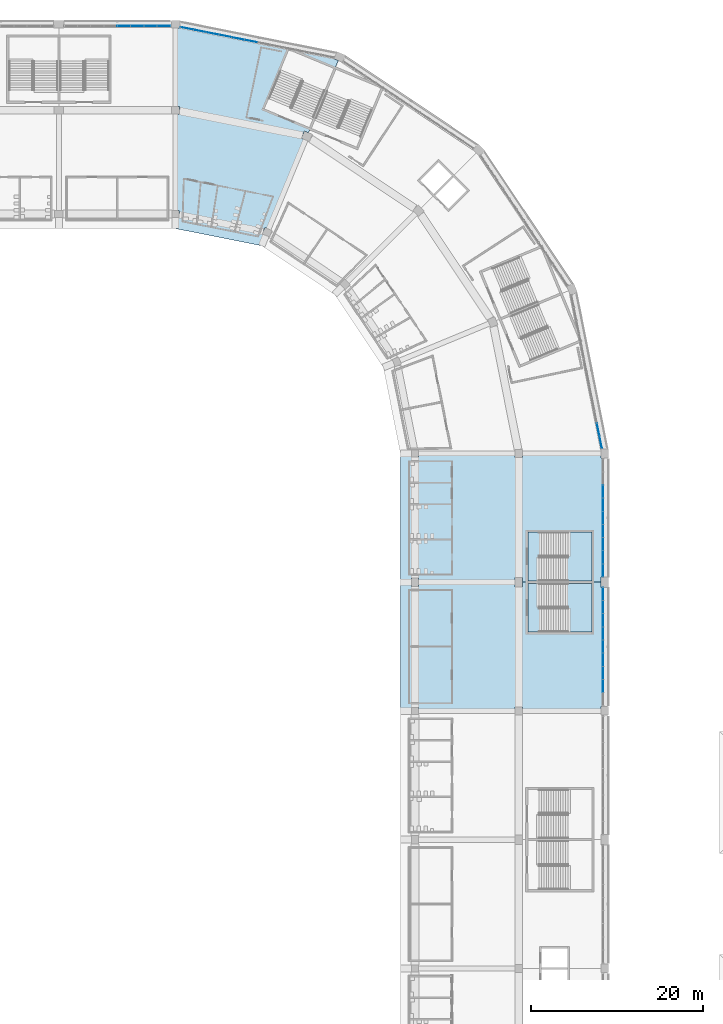
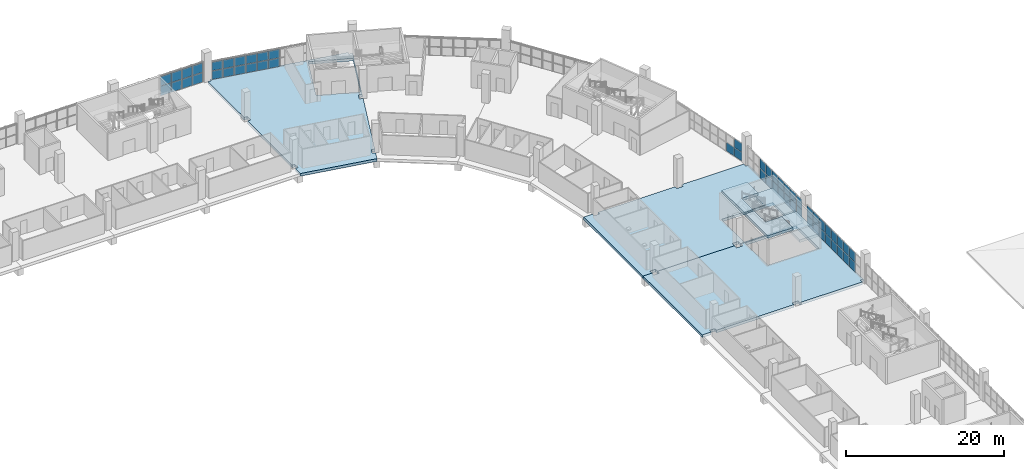
# One storey, part 71 of 199: 53 plates, 7 slabs, 7 elements without a shape of their own.
"""IFC4 building model written with IfcOpenShell, lengths in metres."""

from ifc_helpers import new_model, si_unit, direction, frame, origin, origin_2d, place, context, subcontext, project, spatial, polyline, rectangle, outline, extrude, material, layer, layer_set, type_object, element, aggregate, save


model = new_model("IFC4")

# Units and contexts
model_context = context("Model", 3, precision=1e-05, world=origin(), true_north=direction((0.0, 1.0)))
body_context = subcontext(model_context, "Body", "Model", "MODEL_VIEW")
ifc_project = project(units=[si_unit("LENGTHUNIT", "METRE"), si_unit("AREAUNIT", "SQUARE_METRE"), si_unit("VOLUMEUNIT", "CUBIC_METRE"), si_unit("PLANEANGLEUNIT", "RADIAN"), si_unit("MASSUNIT", "GRAM", prefix="KILO")], contexts=[model_context])

# Site, building, storey
site_placement = place(None, origin())
site = spatial("IfcSite", under=ifc_project, at=site_placement, CompositionType="ELEMENT")
building_placement = place(site_placement, origin())
building = spatial("IfcBuilding", under=site, at=building_placement, Name="Ogive Plaza Stadium", CompositionType="ELEMENT")
storey_placement = place(building_placement, frame((0.0, 0.0, 4.5)))
storey = spatial("IfcBuildingStorey", under=building, at=storey_placement, Name="L01", CompositionType="ELEMENT", Elevation=4.5)

# Curtain wall, plates
ifc_material_1 = material(Name="Bronze-anodised aluminium with laminated glass", Category="aluminium")
curtain_wall_type = type_object("IfcCurtainWallType", Name="Lancet curtain wall", PredefinedType="NOTDEFINED", material=ifc_material_1)
curtain_wall_1_placement = place(storey_placement, origin())
curtain_wall_1 = element("IfcCurtainWall", 1, at=curtain_wall_1_placement, inside=storey, type_object=curtain_wall_type, Name="CURTAIN WALL B01 L01", PredefinedType="NOTDEFINED")
ifc_material_2 = material(Name="Laminated glass", Category="glass")
ifc_layer_1 = layer(ifc_material_2, 0.028076171875)
ifc_layer_set_1 = layer_set([ifc_layer_1], Name="Laminated glass panel 28")
plate_type = type_object("IfcPlateType", Name="Laminated glass panel 28", PredefinedType="CURTAIN_PANEL", material=ifc_layer_set_1)
plate_1_placement = place(storey_placement, frame((83.800048828125, 48.066650390625, 0.0498046875), z_axis=(0.0, 0.0, 1.0), x_axis=(0.0, -1.0, 0.0)))
plate_1 = element("IfcPlate", 2, at=plate_1_placement, type_object=plate_type, Name="CW-B01-L01 panel 3.1", PredefinedType="CURTAIN_PANEL", context=body_context, shape_type="SweptSolid", body=[
    extrude(rectangle(XDim=1.4833984375, YDim=0.028076171875, at=origin_2d()), origin(), (0.0, 0.0, 1.0), 1.469970703125),
])
plate_2_placement = place(storey_placement, frame((83.800048828125, 48.066650390625, 1.56982421875), z_axis=(0.0, 0.0, 1.0), x_axis=(0.0, -1.0, 0.0)))
plate_2 = element("IfcPlate", 3, at=plate_2_placement, type_object=plate_type, Name="CW-B01-L01 panel 3.2", PredefinedType="CURTAIN_PANEL", context=body_context, shape_type="SweptSolid", body=[
    extrude(rectangle(XDim=1.4833984375, YDim=0.028076171875, at=origin_2d()), origin(), (0.0, 0.0, 1.0), 1.469970703125),
])
plate_3_placement = place(storey_placement, frame((83.800048828125, 46.533447265625, 0.0498046875), z_axis=(0.0, 0.0, 1.0), x_axis=(0.0, -1.0, 0.0)))
plate_3 = element("IfcPlate", 4, at=plate_3_placement, type_object=plate_type, Name="CW-B01-L01 panel 4.1", PredefinedType="CURTAIN_PANEL", context=body_context, shape_type="SweptSolid", body=[
    extrude(rectangle(XDim=1.4833984375, YDim=0.028076171875, at=origin_2d()), origin(), (0.0, 0.0, 1.0), 1.469970703125),
])
plate_4_placement = place(storey_placement, frame((83.800048828125, 46.533447265625, 1.56982421875), z_axis=(0.0, 0.0, 1.0), x_axis=(0.0, -1.0, 0.0)))
plate_4 = element("IfcPlate", 5, at=plate_4_placement, type_object=plate_type, Name="CW-B01-L01 panel 4.2", PredefinedType="CURTAIN_PANEL", context=body_context, shape_type="SweptSolid", body=[
    extrude(rectangle(XDim=1.4833984375, YDim=0.028076171875, at=origin_2d()), origin(), (0.0, 0.0, 1.0), 1.469970703125),
])
plate_5_placement = place(storey_placement, frame((83.800048828125, 45.0, 0.0498046875), z_axis=(0.0, 0.0, 1.0), x_axis=(0.0, -1.0, 0.0)))
plate_5 = element("IfcPlate", 6, at=plate_5_placement, type_object=plate_type, Name="CW-B01-L01 panel 5.1", PredefinedType="CURTAIN_PANEL", context=body_context, shape_type="SweptSolid", body=[
    extrude(rectangle(XDim=1.4833984375, YDim=0.028076171875, at=origin_2d()), origin(), (0.0, 0.0, 1.0), 1.469970703125),
])
plate_6_placement = place(storey_placement, frame((83.800048828125, 45.0, 1.56982421875), z_axis=(0.0, 0.0, 1.0), x_axis=(0.0, -1.0, 0.0)))
plate_6 = element("IfcPlate", 7, at=plate_6_placement, type_object=plate_type, Name="CW-B01-L01 panel 5.2", PredefinedType="CURTAIN_PANEL", context=body_context, shape_type="SweptSolid", body=[
    extrude(rectangle(XDim=1.4833984375, YDim=0.028076171875, at=origin_2d()), origin(), (0.0, 0.0, 1.0), 1.469970703125),
])
plate_7_placement = place(storey_placement, frame((83.800048828125, 43.466552734375, 0.0498046875), z_axis=(0.0, 0.0, 1.0), x_axis=(0.0, -1.0, 0.0)))
plate_7 = element("IfcPlate", 8, at=plate_7_placement, type_object=plate_type, Name="CW-B01-L01 panel 6.1", PredefinedType="CURTAIN_PANEL", context=body_context, shape_type="SweptSolid", body=[
    extrude(rectangle(XDim=1.4833984375, YDim=0.028076171875, at=origin_2d()), origin(), (0.0, 0.0, 1.0), 1.469970703125),
])
plate_8_placement = place(storey_placement, frame((83.800048828125, 43.466552734375, 1.56982421875), z_axis=(0.0, 0.0, 1.0), x_axis=(0.0, -1.0, 0.0)))
plate_8 = element("IfcPlate", 9, at=plate_8_placement, type_object=plate_type, Name="CW-B01-L01 panel 6.2", PredefinedType="CURTAIN_PANEL", context=body_context, shape_type="SweptSolid", body=[
    extrude(rectangle(XDim=1.4833984375, YDim=0.028076171875, at=origin_2d()), origin(), (0.0, 0.0, 1.0), 1.469970703125),
])
plate_9_placement = place(storey_placement, frame((83.800048828125, 41.933349609375, 0.0498046875), z_axis=(0.0, 0.0, 1.0), x_axis=(0.0, -1.0, 0.0)))
plate_9 = element("IfcPlate", 10, at=plate_9_placement, type_object=plate_type, Name="CW-B01-L01 panel 7.1", PredefinedType="CURTAIN_PANEL", context=body_context, shape_type="SweptSolid", body=[
    extrude(rectangle(XDim=1.4833984375, YDim=0.028076171875, at=origin_2d()), origin(), (0.0, 0.0, 1.0), 1.469970703125),
])
plate_10_placement = place(storey_placement, frame((83.800048828125, 41.933349609375, 1.56982421875), z_axis=(0.0, 0.0, 1.0), x_axis=(0.0, -1.0, 0.0)))
plate_10 = element("IfcPlate", 11, at=plate_10_placement, type_object=plate_type, Name="CW-B01-L01 panel 7.2", PredefinedType="CURTAIN_PANEL", context=body_context, shape_type="SweptSolid", body=[
    extrude(rectangle(XDim=1.4833984375, YDim=0.028076171875, at=origin_2d()), origin(), (0.0, 0.0, 1.0), 1.469970703125),
])
plate_11_placement = place(storey_placement, frame((83.800048828125, 40.39990234375, 0.0498046875), z_axis=(0.0, 0.0, 1.0), x_axis=(0.0, -1.0, 0.0)))
plate_11 = element("IfcPlate", 12, at=plate_11_placement, type_object=plate_type, Name="CW-B01-L01 panel 8.1", PredefinedType="CURTAIN_PANEL", context=body_context, shape_type="SweptSolid", body=[
    extrude(rectangle(XDim=1.4833984375, YDim=0.028076171875, at=origin_2d()), origin(), (0.0, 0.0, 1.0), 1.469970703125),
])
plate_12_placement = place(storey_placement, frame((83.800048828125, 40.39990234375, 1.56982421875), z_axis=(0.0, 0.0, 1.0), x_axis=(0.0, -1.0, 0.0)))
plate_12 = element("IfcPlate", 13, at=plate_12_placement, type_object=plate_type, Name="CW-B01-L01 panel 8.2", PredefinedType="CURTAIN_PANEL", context=body_context, shape_type="SweptSolid", body=[
    extrude(rectangle(XDim=1.4833984375, YDim=0.028076171875, at=origin_2d()), origin(), (0.0, 0.0, 1.0), 1.469970703125),
])
plate_13_placement = place(storey_placement, frame((83.800048828125, 38.879150390625, 0.0498046875), z_axis=(0.0, 0.0, 1.0), x_axis=(0.0, -1.0, 0.0)))
plate_13 = element("IfcPlate", 14, at=plate_13_placement, type_object=plate_type, Name="CW-B01-L01 panel 9.1", PredefinedType="CURTAIN_PANEL", context=body_context, shape_type="SweptSolid", body=[
    extrude(rectangle(XDim=1.458251953125, YDim=0.028076171875, at=origin_2d()), origin(), (0.0, 0.0, 1.0), 1.469970703125),
])
plate_14_placement = place(storey_placement, frame((83.800048828125, 38.879150390625, 1.56982421875), z_axis=(0.0, 0.0, 1.0), x_axis=(0.0, -1.0, 0.0)))
plate_14 = element("IfcPlate", 15, at=plate_14_placement, type_object=plate_type, Name="CW-B01-L01 panel 9.2", PredefinedType="CURTAIN_PANEL", context=body_context, shape_type="SweptSolid", body=[
    extrude(rectangle(XDim=1.458251953125, YDim=0.028076171875, at=origin_2d()), origin(), (0.0, 0.0, 1.0), 1.469970703125),
])
aggregate(curtain_wall_1, [plate_1, plate_2, plate_3, plate_4, plate_5, plate_6, plate_7, plate_8, plate_9, plate_10, plate_11, plate_12, plate_13, plate_14])

curtain_wall_2_placement = place(storey_placement, origin())
curtain_wall_2 = element("IfcCurtainWall", 16, at=curtain_wall_2_placement, inside=storey, type_object=curtain_wall_type, Name="CURTAIN WALL B02 L01", PredefinedType="NOTDEFINED")
plate_15_placement = place(storey_placement, frame((83.800048828125, 36.120849609375, 0.0498046875), z_axis=(0.0, 0.0, 1.0), x_axis=(0.0, -1.0, 0.0)))
plate_15 = element("IfcPlate", 17, at=plate_15_placement, type_object=plate_type, Name="CW-B02-L01 panel 1.1", PredefinedType="CURTAIN_PANEL", context=body_context, shape_type="SweptSolid", body=[
    extrude(rectangle(XDim=1.458251953125, YDim=0.028076171875, at=origin_2d()), origin(), (0.0, 0.0, 1.0), 1.469970703125),
])
plate_16_placement = place(storey_placement, frame((83.800048828125, 36.120849609375, 1.56982421875), z_axis=(0.0, 0.0, 1.0), x_axis=(0.0, -1.0, 0.0)))
plate_16 = element("IfcPlate", 18, at=plate_16_placement, type_object=plate_type, Name="CW-B02-L01 panel 1.2", PredefinedType="CURTAIN_PANEL", context=body_context, shape_type="SweptSolid", body=[
    extrude(rectangle(XDim=1.458251953125, YDim=0.028076171875, at=origin_2d()), origin(), (0.0, 0.0, 1.0), 1.469970703125),
])
plate_17_placement = place(storey_placement, frame((83.800048828125, 34.60009765625, 0.0498046875), z_axis=(0.0, 0.0, 1.0), x_axis=(0.0, -1.0, 0.0)))
plate_17 = element("IfcPlate", 19, at=plate_17_placement, type_object=plate_type, Name="CW-B02-L01 panel 2.1", PredefinedType="CURTAIN_PANEL", context=body_context, shape_type="SweptSolid", body=[
    extrude(rectangle(XDim=1.4833984375, YDim=0.028076171875, at=origin_2d()), origin(), (0.0, 0.0, 1.0), 1.469970703125),
])
plate_18_placement = place(storey_placement, frame((83.800048828125, 34.60009765625, 1.56982421875), z_axis=(0.0, 0.0, 1.0), x_axis=(0.0, -1.0, 0.0)))
plate_18 = element("IfcPlate", 20, at=plate_18_placement, type_object=plate_type, Name="CW-B02-L01 panel 2.2", PredefinedType="CURTAIN_PANEL", context=body_context, shape_type="SweptSolid", body=[
    extrude(rectangle(XDim=1.4833984375, YDim=0.028076171875, at=origin_2d()), origin(), (0.0, 0.0, 1.0), 1.469970703125),
])
plate_19_placement = place(storey_placement, frame((83.800048828125, 33.066650390625, 0.0498046875), z_axis=(0.0, 0.0, 1.0), x_axis=(0.0, -1.0, 0.0)))
plate_19 = element("IfcPlate", 21, at=plate_19_placement, type_object=plate_type, Name="CW-B02-L01 panel 3.1", PredefinedType="CURTAIN_PANEL", context=body_context, shape_type="SweptSolid", body=[
    extrude(rectangle(XDim=1.4833984375, YDim=0.028076171875, at=origin_2d()), origin(), (0.0, 0.0, 1.0), 1.469970703125),
])
plate_20_placement = place(storey_placement, frame((83.800048828125, 33.066650390625, 1.56982421875), z_axis=(0.0, 0.0, 1.0), x_axis=(0.0, -1.0, 0.0)))
plate_20 = element("IfcPlate", 22, at=plate_20_placement, type_object=plate_type, Name="CW-B02-L01 panel 3.2", PredefinedType="CURTAIN_PANEL", context=body_context, shape_type="SweptSolid", body=[
    extrude(rectangle(XDim=1.4833984375, YDim=0.028076171875, at=origin_2d()), origin(), (0.0, 0.0, 1.0), 1.469970703125),
])
plate_21_placement = place(storey_placement, frame((83.800048828125, 31.533447265625, 0.0498046875), z_axis=(0.0, 0.0, 1.0), x_axis=(0.0, -1.0, 0.0)))
plate_21 = element("IfcPlate", 23, at=plate_21_placement, type_object=plate_type, Name="CW-B02-L01 panel 4.1", PredefinedType="CURTAIN_PANEL", context=body_context, shape_type="SweptSolid", body=[
    extrude(rectangle(XDim=1.4833984375, YDim=0.028076171875, at=origin_2d()), origin(), (0.0, 0.0, 1.0), 1.469970703125),
])
plate_22_placement = place(storey_placement, frame((83.800048828125, 31.533447265625, 1.56982421875), z_axis=(0.0, 0.0, 1.0), x_axis=(0.0, -1.0, 0.0)))
plate_22 = element("IfcPlate", 24, at=plate_22_placement, type_object=plate_type, Name="CW-B02-L01 panel 4.2", PredefinedType="CURTAIN_PANEL", context=body_context, shape_type="SweptSolid", body=[
    extrude(rectangle(XDim=1.4833984375, YDim=0.028076171875, at=origin_2d()), origin(), (0.0, 0.0, 1.0), 1.469970703125),
])
plate_23_placement = place(storey_placement, frame((83.800048828125, 30.0, 0.0498046875), z_axis=(0.0, 0.0, 1.0), x_axis=(0.0, -1.0, 0.0)))
plate_23 = element("IfcPlate", 25, at=plate_23_placement, type_object=plate_type, Name="CW-B02-L01 panel 5.1", PredefinedType="CURTAIN_PANEL", context=body_context, shape_type="SweptSolid", body=[
    extrude(rectangle(XDim=1.4833984375, YDim=0.028076171875, at=origin_2d()), origin(), (0.0, 0.0, 1.0), 1.469970703125),
])
plate_24_placement = place(storey_placement, frame((83.800048828125, 30.0, 1.56982421875), z_axis=(0.0, 0.0, 1.0), x_axis=(0.0, -1.0, 0.0)))
plate_24 = element("IfcPlate", 26, at=plate_24_placement, type_object=plate_type, Name="CW-B02-L01 panel 5.2", PredefinedType="CURTAIN_PANEL", context=body_context, shape_type="SweptSolid", body=[
    extrude(rectangle(XDim=1.4833984375, YDim=0.028076171875, at=origin_2d()), origin(), (0.0, 0.0, 1.0), 1.469970703125),
])
plate_25_placement = place(storey_placement, frame((83.800048828125, 28.466552734375, 0.0498046875), z_axis=(0.0, 0.0, 1.0), x_axis=(0.0, -1.0, 0.0)))
plate_25 = element("IfcPlate", 27, at=plate_25_placement, type_object=plate_type, Name="CW-B02-L01 panel 6.1", PredefinedType="CURTAIN_PANEL", context=body_context, shape_type="SweptSolid", body=[
    extrude(rectangle(XDim=1.4833984375, YDim=0.028076171875, at=origin_2d()), origin(), (0.0, 0.0, 1.0), 1.469970703125),
])
plate_26_placement = place(storey_placement, frame((83.800048828125, 28.466552734375, 1.56982421875), z_axis=(0.0, 0.0, 1.0), x_axis=(0.0, -1.0, 0.0)))
plate_26 = element("IfcPlate", 28, at=plate_26_placement, type_object=plate_type, Name="CW-B02-L01 panel 6.2", PredefinedType="CURTAIN_PANEL", context=body_context, shape_type="SweptSolid", body=[
    extrude(rectangle(XDim=1.4833984375, YDim=0.028076171875, at=origin_2d()), origin(), (0.0, 0.0, 1.0), 1.469970703125),
])
plate_27_placement = place(storey_placement, frame((83.800048828125, 26.933349609375, 0.0498046875), z_axis=(0.0, 0.0, 1.0), x_axis=(0.0, -1.0, 0.0)))
plate_27 = element("IfcPlate", 29, at=plate_27_placement, type_object=plate_type, Name="CW-B02-L01 panel 7.1", PredefinedType="CURTAIN_PANEL", context=body_context, shape_type="SweptSolid", body=[
    extrude(rectangle(XDim=1.4833984375, YDim=0.028076171875, at=origin_2d()), origin(), (0.0, 0.0, 1.0), 1.469970703125),
])
plate_28_placement = place(storey_placement, frame((83.800048828125, 26.933349609375, 1.56982421875), z_axis=(0.0, 0.0, 1.0), x_axis=(0.0, -1.0, 0.0)))
plate_28 = element("IfcPlate", 30, at=plate_28_placement, type_object=plate_type, Name="CW-B02-L01 panel 7.2", PredefinedType="CURTAIN_PANEL", context=body_context, shape_type="SweptSolid", body=[
    extrude(rectangle(XDim=1.4833984375, YDim=0.028076171875, at=origin_2d()), origin(), (0.0, 0.0, 1.0), 1.469970703125),
])
plate_29_placement = place(storey_placement, frame((83.800048828125, 25.39990234375, 0.0498046875), z_axis=(0.0, 0.0, 1.0), x_axis=(0.0, -1.0, 0.0)))
plate_29 = element("IfcPlate", 31, at=plate_29_placement, type_object=plate_type, Name="CW-B02-L01 panel 8.1", PredefinedType="CURTAIN_PANEL", context=body_context, shape_type="SweptSolid", body=[
    extrude(rectangle(XDim=1.4833984375, YDim=0.028076171875, at=origin_2d()), origin(), (0.0, 0.0, 1.0), 1.469970703125),
])
plate_30_placement = place(storey_placement, frame((83.800048828125, 25.39990234375, 1.56982421875), z_axis=(0.0, 0.0, 1.0), x_axis=(0.0, -1.0, 0.0)))
plate_30 = element("IfcPlate", 32, at=plate_30_placement, type_object=plate_type, Name="CW-B02-L01 panel 8.2", PredefinedType="CURTAIN_PANEL", context=body_context, shape_type="SweptSolid", body=[
    extrude(rectangle(XDim=1.4833984375, YDim=0.028076171875, at=origin_2d()), origin(), (0.0, 0.0, 1.0), 1.469970703125),
])
aggregate(curtain_wall_2, [plate_15, plate_16, plate_17, plate_18, plate_19, plate_20, plate_21, plate_22, plate_23, plate_24, plate_25, plate_26, plate_27, plate_28, plate_29, plate_30])

curtain_wall_3_placement = place(storey_placement, origin())
curtain_wall_3 = element("IfcCurtainWall", 33, at=curtain_wall_3_placement, inside=storey, type_object=curtain_wall_type, Name="CURTAIN WALL B36 L01", PredefinedType="NOTDEFINED")
plate_31_placement = place(storey_placement, frame((27.97509765625, 102.300048828125, 0.0498046875), z_axis=(0.0, 0.0, 1.0), x_axis=(1.0, 0.0, 0.0)))
plate_31 = element("IfcPlate", 34, at=plate_31_placement, type_object=plate_type, Name="CW-B36-L01 panel 5.1", PredefinedType="CURTAIN_PANEL", context=body_context, shape_type="SweptSolid", body=[
    extrude(rectangle(XDim=1.5, YDim=0.028076171875, at=origin_2d()), origin(), (0.0, 0.0, 1.0), 1.469970703125),
])
plate_32_placement = place(storey_placement, frame((27.97509765625, 102.300048828125, 1.56982421875), z_axis=(0.0, 0.0, 1.0), x_axis=(1.0, 0.0, 0.0)))
plate_32 = element("IfcPlate", 35, at=plate_32_placement, type_object=plate_type, Name="CW-B36-L01 panel 5.2", PredefinedType="CURTAIN_PANEL", context=body_context, shape_type="SweptSolid", body=[
    extrude(rectangle(XDim=1.5, YDim=0.028076171875, at=origin_2d()), origin(), (0.0, 0.0, 1.0), 1.469970703125),
])
plate_33_placement = place(storey_placement, frame((29.52490234375, 102.300048828125, 0.0498046875), z_axis=(0.0, 0.0, 1.0), x_axis=(1.0, 0.0, 0.0)))
plate_33 = element("IfcPlate", 36, at=plate_33_placement, type_object=plate_type, Name="CW-B36-L01 panel 6.1", PredefinedType="CURTAIN_PANEL", context=body_context, shape_type="SweptSolid", body=[
    extrude(rectangle(XDim=1.5, YDim=0.028076171875, at=origin_2d()), origin(), (0.0, 0.0, 1.0), 1.469970703125),
])
plate_34_placement = place(storey_placement, frame((29.52490234375, 102.300048828125, 1.56982421875), z_axis=(0.0, 0.0, 1.0), x_axis=(1.0, 0.0, 0.0)))
plate_34 = element("IfcPlate", 37, at=plate_34_placement, type_object=plate_type, Name="CW-B36-L01 panel 6.2", PredefinedType="CURTAIN_PANEL", context=body_context, shape_type="SweptSolid", body=[
    extrude(rectangle(XDim=1.5, YDim=0.028076171875, at=origin_2d()), origin(), (0.0, 0.0, 1.0), 1.469970703125),
])
plate_35_placement = place(storey_placement, frame((31.074951171875, 102.300048828125, 0.0498046875), z_axis=(0.0, 0.0, 1.0), x_axis=(1.0, 0.0, 0.0)))
plate_35 = element("IfcPlate", 38, at=plate_35_placement, type_object=plate_type, Name="CW-B36-L01 panel 7.1", PredefinedType="CURTAIN_PANEL", context=body_context, shape_type="SweptSolid", body=[
    extrude(rectangle(XDim=1.5, YDim=0.028076171875, at=origin_2d()), origin(), (0.0, 0.0, 1.0), 1.469970703125),
])
plate_36_placement = place(storey_placement, frame((31.074951171875, 102.300048828125, 1.56982421875), z_axis=(0.0, 0.0, 1.0), x_axis=(1.0, 0.0, 0.0)))
plate_36 = element("IfcPlate", 39, at=plate_36_placement, type_object=plate_type, Name="CW-B36-L01 panel 7.2", PredefinedType="CURTAIN_PANEL", context=body_context, shape_type="SweptSolid", body=[
    extrude(rectangle(XDim=1.5, YDim=0.028076171875, at=origin_2d()), origin(), (0.0, 0.0, 1.0), 1.469970703125),
])
plate_37_placement = place(storey_placement, frame((32.612548828125, 102.300048828125, 0.0498046875), z_axis=(0.0, 0.0, 1.0), x_axis=(1.0, 0.0, 0.0)))
plate_37 = element("IfcPlate", 40, at=plate_37_placement, type_object=plate_type, Name="CW-B36-L01 panel 8.1", PredefinedType="CURTAIN_PANEL", context=body_context, shape_type="SweptSolid", body=[
    extrude(rectangle(XDim=1.47509765625, YDim=0.028076171875, at=origin_2d()), origin(), (0.0, 0.0, 1.0), 1.469970703125),
])
plate_38_placement = place(storey_placement, frame((32.612548828125, 102.300048828125, 1.56982421875), z_axis=(0.0, 0.0, 1.0), x_axis=(1.0, 0.0, 0.0)))
plate_38 = element("IfcPlate", 41, at=plate_38_placement, type_object=plate_type, Name="CW-B36-L01 panel 8.2", PredefinedType="CURTAIN_PANEL", context=body_context, shape_type="SweptSolid", body=[
    extrude(rectangle(XDim=1.47509765625, YDim=0.028076171875, at=origin_2d()), origin(), (0.0, 0.0, 1.0), 1.469970703125),
])
aggregate(curtain_wall_3, [plate_31, plate_32, plate_33, plate_34, plate_35, plate_36, plate_37, plate_38])

curtain_wall_4_placement = place(storey_placement, origin())
curtain_wall_4 = element("IfcCurtainWall", 42, at=curtain_wall_4_placement, inside=storey, type_object=curtain_wall_type, Name="CURTAIN WALL B37 L01", PredefinedType="NOTDEFINED")
plate_39_placement = place(storey_placement, frame((35.328369140625, 102.031982421875, 0.0498046875), z_axis=(0.0, 0.0, 1.0), x_axis=(0.9807852804, -0.195090322033, 0.0)))
plate_39 = element("IfcPlate", 43, at=plate_39_placement, type_object=plate_type, Name="CW-B37-L01 panel 1.1", PredefinedType="CURTAIN_PANEL", context=body_context, shape_type="SweptSolid", body=[
    extrude(rectangle(XDim=1.447265625, YDim=0.028076171875, at=origin_2d()), origin(), (0.0, 0.0, 1.0), 1.320068359375),
])
plate_40_placement = place(storey_placement, frame((35.328369140625, 102.031982421875, 1.419921875), z_axis=(0.0, 0.0, 1.0), x_axis=(0.9807852804, -0.195090322033, 0.0)))
plate_40 = element("IfcPlate", 44, at=plate_40_placement, type_object=plate_type, Name="CW-B37-L01 panel 1.2", PredefinedType="CURTAIN_PANEL", context=body_context, shape_type="SweptSolid", body=[
    extrude(rectangle(XDim=1.447265625, YDim=0.028076171875, at=origin_2d()), origin(), (0.0, 0.0, 1.0), 1.320068359375),
])
plate_41_placement = place(storey_placement, frame((36.80908203125, 101.7373046875, 0.0498046875), z_axis=(0.0, 0.0, 1.0), x_axis=(0.9807852804, -0.195090322033, 0.0)))
plate_41 = element("IfcPlate", 45, at=plate_41_placement, type_object=plate_type, Name="CW-B37-L01 panel 2.1", PredefinedType="CURTAIN_PANEL", context=body_context, shape_type="SweptSolid", body=[
    extrude(rectangle(XDim=1.472412109375, YDim=0.028076171875, at=origin_2d()), origin(), (0.0, 0.0, 1.0), 1.320068359375),
])
plate_42_placement = place(storey_placement, frame((36.80908203125, 101.7373046875, 1.419921875), z_axis=(0.0, 0.0, 1.0), x_axis=(0.9807852804, -0.195090322033, 0.0)))
plate_42 = element("IfcPlate", 46, at=plate_42_placement, type_object=plate_type, Name="CW-B37-L01 panel 2.2", PredefinedType="CURTAIN_PANEL", context=body_context, shape_type="SweptSolid", body=[
    extrude(rectangle(XDim=1.472412109375, YDim=0.028076171875, at=origin_2d()), origin(), (0.0, 0.0, 1.0), 1.320068359375),
])
plate_43_placement = place(storey_placement, frame((38.30224609375, 101.4404296875, 0.0498046875), z_axis=(0.0, 0.0, 1.0), x_axis=(0.9807852804, -0.195090322033, 0.0)))
plate_43 = element("IfcPlate", 47, at=plate_43_placement, type_object=plate_type, Name="CW-B37-L01 panel 3.1", PredefinedType="CURTAIN_PANEL", context=body_context, shape_type="SweptSolid", body=[
    extrude(rectangle(XDim=1.472412109375, YDim=0.028076171875, at=origin_2d()), origin(), (0.0, 0.0, 1.0), 1.320068359375),
])
plate_44_placement = place(storey_placement, frame((38.30224609375, 101.4404296875, 1.419921875), z_axis=(0.0, 0.0, 1.0), x_axis=(0.9807852804, -0.195090322033, 0.0)))
plate_44 = element("IfcPlate", 48, at=plate_44_placement, type_object=plate_type, Name="CW-B37-L01 panel 3.2", PredefinedType="CURTAIN_PANEL", context=body_context, shape_type="SweptSolid", body=[
    extrude(rectangle(XDim=1.472412109375, YDim=0.028076171875, at=origin_2d()), origin(), (0.0, 0.0, 1.0), 1.320068359375),
])
plate_45_placement = place(storey_placement, frame((39.79541015625, 101.143310546875, 0.0498046875), z_axis=(0.0, 0.0, 1.0), x_axis=(0.9807852804, -0.195090322033, 0.0)))
plate_45 = element("IfcPlate", 49, at=plate_45_placement, type_object=plate_type, Name="CW-B37-L01 panel 4.1", PredefinedType="CURTAIN_PANEL", context=body_context, shape_type="SweptSolid", body=[
    extrude(rectangle(XDim=1.472412109375, YDim=0.028076171875, at=origin_2d()), origin(), (0.0, 0.0, 1.0), 1.320068359375),
])
plate_46_placement = place(storey_placement, frame((39.79541015625, 101.143310546875, 1.419921875), z_axis=(0.0, 0.0, 1.0), x_axis=(0.9807852804, -0.195090322033, 0.0)))
plate_46 = element("IfcPlate", 50, at=plate_46_placement, type_object=plate_type, Name="CW-B37-L01 panel 4.2", PredefinedType="CURTAIN_PANEL", context=body_context, shape_type="SweptSolid", body=[
    extrude(rectangle(XDim=1.472412109375, YDim=0.028076171875, at=origin_2d()), origin(), (0.0, 0.0, 1.0), 1.320068359375),
])
plate_47_placement = place(storey_placement, frame((41.288330078125, 100.846435546875, 0.0498046875), z_axis=(0.0, 0.0, 1.0), x_axis=(0.9807852804, -0.195090322033, 0.0)))
plate_47 = element("IfcPlate", 51, at=plate_47_placement, type_object=plate_type, Name="CW-B37-L01 panel 5.1", PredefinedType="CURTAIN_PANEL", context=body_context, shape_type="SweptSolid", body=[
    extrude(rectangle(XDim=1.472412109375, YDim=0.028076171875, at=origin_2d()), origin(), (0.0, 0.0, 1.0), 1.320068359375),
])
plate_48_placement = place(storey_placement, frame((41.288330078125, 100.846435546875, 1.419921875), z_axis=(0.0, 0.0, 1.0), x_axis=(0.9807852804, -0.195090322033, 0.0)))
plate_48 = element("IfcPlate", 52, at=plate_48_placement, type_object=plate_type, Name="CW-B37-L01 panel 5.2", PredefinedType="CURTAIN_PANEL", context=body_context, shape_type="SweptSolid", body=[
    extrude(rectangle(XDim=1.472412109375, YDim=0.028076171875, at=origin_2d()), origin(), (0.0, 0.0, 1.0), 1.320068359375),
])
plate_49_placement = place(storey_placement, frame((42.781494140625, 100.54931640625, 0.0498046875), z_axis=(0.0, 0.0, 1.0), x_axis=(0.9807852804, -0.195090322033, 0.0)))
plate_49 = element("IfcPlate", 53, at=plate_49_placement, type_object=plate_type, Name="CW-B37-L01 panel 6.1", PredefinedType="CURTAIN_PANEL", context=body_context, shape_type="SweptSolid", body=[
    extrude(rectangle(XDim=1.472412109375, YDim=0.028076171875, at=origin_2d()), origin(), (0.0, 0.0, 1.0), 1.320068359375),
])
plate_50_placement = place(storey_placement, frame((42.781494140625, 100.54931640625, 1.419921875), z_axis=(0.0, 0.0, 1.0), x_axis=(0.9807852804, -0.195090322033, 0.0)))
plate_50 = element("IfcPlate", 54, at=plate_50_placement, type_object=plate_type, Name="CW-B37-L01 panel 6.2", PredefinedType="CURTAIN_PANEL", context=body_context, shape_type="SweptSolid", body=[
    extrude(rectangle(XDim=1.472412109375, YDim=0.028076171875, at=origin_2d()), origin(), (0.0, 0.0, 1.0), 1.320068359375),
])
aggregate(curtain_wall_4, [plate_39, plate_40, plate_41, plate_42, plate_43, plate_44, plate_45, plate_46, plate_47, plate_48, plate_49, plate_50])

curtain_wall_5_placement = place(storey_placement, origin())
curtain_wall_5 = element("IfcCurtainWall", 55, at=curtain_wall_5_placement, inside=storey, type_object=curtain_wall_type, Name="CURTAIN WALL B40 L01", PredefinedType="NOTDEFINED")
plate_51_placement = place(storey_placement, frame((83.2373046875, 55.30908203125, 0.0498046875), z_axis=(0.0, 0.0, 1.0), x_axis=(0.195090322033, -0.9807852804, 0.0)))
plate_51 = element("IfcPlate", 56, at=plate_51_placement, type_object=plate_type, Name="CW-B40-L01 panel 11.1", PredefinedType="CURTAIN_PANEL", context=body_context, shape_type="SweptSolid", body=[
    extrude(rectangle(XDim=1.472412109375, YDim=0.028076171875, at=origin_2d()), origin(), (0.0, 0.0, 1.0), 1.320068359375),
])
plate_52_placement = place(storey_placement, frame((83.531982421875, 53.828369140625, 0.0498046875), z_axis=(0.0, 0.0, 1.0), x_axis=(0.195090322033, -0.9807852804, 0.0)))
plate_52 = element("IfcPlate", 57, at=plate_52_placement, type_object=plate_type, Name="CW-B40-L01 panel 12.1", PredefinedType="CURTAIN_PANEL", context=body_context, shape_type="SweptSolid", body=[
    extrude(rectangle(XDim=1.447265625, YDim=0.028076171875, at=origin_2d()), origin(), (0.0, 0.0, 1.0), 1.320068359375),
])
plate_53_placement = place(storey_placement, frame((83.531982421875, 53.828369140625, 1.419921875), z_axis=(0.0, 0.0, 1.0), x_axis=(0.195090322033, -0.9807852804, 0.0)))
plate_53 = element("IfcPlate", 58, at=plate_53_placement, type_object=plate_type, Name="CW-B40-L01 panel 12.2", PredefinedType="CURTAIN_PANEL", context=body_context, shape_type="SweptSolid", body=[
    extrude(rectangle(XDim=1.447265625, YDim=0.028076171875, at=origin_2d()), origin(), (0.0, 0.0, 1.0), 1.320068359375),
])
aggregate(curtain_wall_5, [plate_51, plate_52, plate_53])

# Slabs
ifc_material_3 = material(Name="Concrete C40/50", Category="concrete")
ifc_layer_2 = layer(ifc_material_3, 0.409912109375)
ifc_layer_set_2 = layer_set([ifc_layer_2], Name="Concrete C40/50")
slab_type_1 = type_object("IfcSlabType", Name="RC floor slab 410", PredefinedType="FLOOR", material=ifc_layer_set_2)
slab_1_placement = place(storey_placement, frame((0.0, 0.0, -0.409912109375)))
element("IfcSlab", 59, at=slab_1_placement, inside=storey, type_object=slab_type_1, Name="Floor slab L01 B01", PredefinedType="FLOOR", context=body_context, shape_type="SweptSolid", body=[
    extrude(outline(polyline([(61.5, 37.5), (61.5, 38.0), (62.300048828125, 38.0), (62.300048828125, 37.5), (73.550048828125, 37.5), (73.550048828125, 38.050048828125), (74.449951171875, 38.050048828125), (74.449951171875, 37.5), (83.550048828125, 37.5), (83.550048828125, 38.10009765625), (84.0, 38.10009765625), (84.0, 52.0), (83.550048828125, 52.0), (83.550048828125, 52.5), (74.449951171875, 52.5), (74.449951171875, 52.050048828125), (73.550048828125, 52.050048828125), (73.550048828125, 52.5), (62.300048828125, 52.5), (62.300048828125, 52.10009765625), (61.5, 52.10009765625), (61.5, 52.5), (60.199951171875, 52.5), (60.199951171875, 37.5), (61.5, 37.5)]), holes=[polyline([(75.050048828125, 43.324951171875), (75.050048828125, 37.625), (82.510009765625, 37.625), (82.510009765625, 43.324951171875), (75.050048828125, 43.324951171875)])]), origin(), (0.0, 0.0, 1.0), 0.409912109375),
])
slab_2_placement = place(storey_placement, frame((0.0, 0.0, -0.409912109375)))
element("IfcSlab", 60, at=slab_2_placement, inside=storey, type_object=slab_type_1, Name="Floor slab L01 B02", PredefinedType="FLOOR", context=body_context, shape_type="SweptSolid", body=[
    extrude(outline(polyline([(61.5, 22.5), (61.5, 22.89990234375), (62.300048828125, 22.89990234375), (62.300048828125, 22.5), (73.550048828125, 22.5), (73.550048828125, 22.949951171875), (74.449951171875, 22.949951171875), (74.449951171875, 22.5), (83.550048828125, 22.5), (83.550048828125, 23.0), (84.0, 23.0), (84.0, 36.89990234375), (83.550048828125, 36.89990234375), (83.550048828125, 37.5), (74.449951171875, 37.5), (74.449951171875, 36.949951171875), (73.550048828125, 36.949951171875), (73.550048828125, 37.5), (62.300048828125, 37.5), (62.300048828125, 37.0), (61.5, 37.0), (61.5, 37.5), (60.199951171875, 37.5), (60.199951171875, 22.5), (61.5, 22.5)]), holes=[polyline([(75.050048828125, 37.375), (75.050048828125, 31.675048828125), (82.510009765625, 31.675048828125), (82.510009765625, 37.375), (75.050048828125, 37.375)])]), origin(), (0.0, 0.0, 1.0), 0.409912109375),
])
slab_3_placement = place(storey_placement, frame((0.0, 0.0, -0.409912109375)))
element("IfcSlab", 61, at=slab_3_placement, inside=storey, type_object=slab_type_1, Name="Floor slab L01 B37", PredefinedType="FLOOR", context=body_context, shape_type="SweptSolid", body=[
    extrude(outline(polyline([(44.523681640625, 77.90673828125), (44.108154296875, 78.078857421875), (44.414306640625, 78.818115234375), (44.829833984375, 78.645751953125), (49.135009765625, 89.03955078125), (48.673095703125, 89.230712890625), (49.017578125, 90.062255859375), (49.4794921875, 89.870849609375), (52.9619140625, 98.2783203125), (52.453857421875, 98.48876953125), (52.584228515625, 98.803466796875), (34.5, 102.400634765625), (34.5, 102.050048828125), (34.0, 102.050048828125), (34.0, 92.949951171875), (34.449951171875, 92.949951171875), (34.449951171875, 92.050048828125), (34.0, 92.050048828125), (34.0, 80.800048828125), (34.39990234375, 80.800048828125), (34.39990234375, 80.0), (34.0, 80.0), (34.0, 78.699951171875), (44.0263671875, 76.70556640625), (44.523681640625, 77.90673828125)]), holes=[polyline([(44.32763671875, 92.654296875), (49.59375, 90.47314453125), (52.448486328125, 97.365234375), (47.182373046875, 99.546630859375), (44.32763671875, 92.654296875)])]), origin(), (0.0, 0.0, 1.0), 0.409912109375),
])

# Stair, slabs
ifc_material_4 = material(Name="Concrete C40/50", Category="concrete")
stair_type = type_object("IfcStairType", Name="Exit stair", PredefinedType="STRAIGHT_RUN_STAIR", material=ifc_material_4)
stair_1_placement = place(storey_placement, origin())
stair_1 = element("IfcStair", 62, at=stair_1_placement, inside=storey, type_object=stair_type, Name="Exit stair ST02A L01 to L02", PredefinedType="STRAIGHT_RUN_STAIR")
ifc_material_5 = material(Name="Concrete C40/50", Category="concrete")
ifc_layer_3 = layer(ifc_material_5, 0.39990234375)
ifc_layer_set_3 = layer_set([ifc_layer_3], Name="Concrete C40/50")
slab_type_2 = type_object("IfcSlabType", Name="Stair landing", PredefinedType="LANDING", material=ifc_layer_set_3)
slab_4_placement = place(storey_placement, frame((0.0, 0.0, 1.85009765625)))
slab_4 = element("IfcSlab", 63, at=slab_4_placement, type_object=slab_type_2, Name="ST02A landing 1", PredefinedType="LANDING", context=body_context, shape_type="SweptSolid", body=[
    extrude(outline(polyline([(82.510009765625, 37.375), (82.510009765625, 31.675048828125), (79.7099609375, 31.675048828125), (79.7099609375, 34.574951171875), (77.31005859375, 34.574951171875), (77.31005859375, 37.375), (79.7099609375, 37.375), (82.510009765625, 37.375)])), origin(), (0.0, 0.0, 1.0), 0.39990234375),
])
slab_5_placement = place(storey_placement, frame((0.0, 0.0, 4.10009765625)))
slab_5 = element("IfcSlab", 64, at=slab_5_placement, type_object=slab_type_2, Name="ST02A landing 2", PredefinedType="LANDING", context=body_context, shape_type="SweptSolid", body=[
    extrude(outline(polyline([(78.75, 34.47509765625), (78.75, 31.675048828125), (76.35009765625, 31.675048828125), (75.050048828125, 31.675048828125), (75.050048828125, 37.375), (76.35009765625, 37.375), (76.35009765625, 34.47509765625), (78.75, 34.47509765625)])), origin(), (0.0, 0.0, 1.0), 0.39990234375),
])
aggregate(stair_1, [slab_4, slab_5])

stair_2_placement = place(storey_placement, origin())
stair_2 = element("IfcStair", 65, at=stair_2_placement, inside=storey, type_object=stair_type, Name="Exit stair ST02B L01 to L02", PredefinedType="STRAIGHT_RUN_STAIR")
slab_6_placement = place(storey_placement, frame((0.0, 0.0, 1.85009765625)))
slab_6 = element("IfcSlab", 66, at=slab_6_placement, type_object=slab_type_2, Name="ST02B landing 1", PredefinedType="LANDING", context=body_context, shape_type="SweptSolid", body=[
    extrude(outline(polyline([(77.31005859375, 37.625), (77.31005859375, 40.425048828125), (79.7099609375, 40.425048828125), (79.7099609375, 43.324951171875), (82.510009765625, 43.324951171875), (82.510009765625, 37.625), (79.7099609375, 37.625), (77.31005859375, 37.625)])), origin(), (0.0, 0.0, 1.0), 0.39990234375),
])
slab_7_placement = place(storey_placement, frame((0.0, 0.0, 4.10009765625)))
slab_7 = element("IfcSlab", 67, at=slab_7_placement, type_object=slab_type_2, Name="ST02B landing 2", PredefinedType="LANDING", context=body_context, shape_type="SweptSolid", body=[
    extrude(outline(polyline([(76.35009765625, 37.625), (75.050048828125, 37.625), (75.050048828125, 43.324951171875), (76.35009765625, 43.324951171875), (78.75, 43.324951171875), (78.75, 40.52490234375), (76.35009765625, 40.52490234375), (76.35009765625, 37.625)])), origin(), (0.0, 0.0, 1.0), 0.39990234375),
])
aggregate(stair_2, [slab_6, slab_7])

save(model, "model.ifc")
